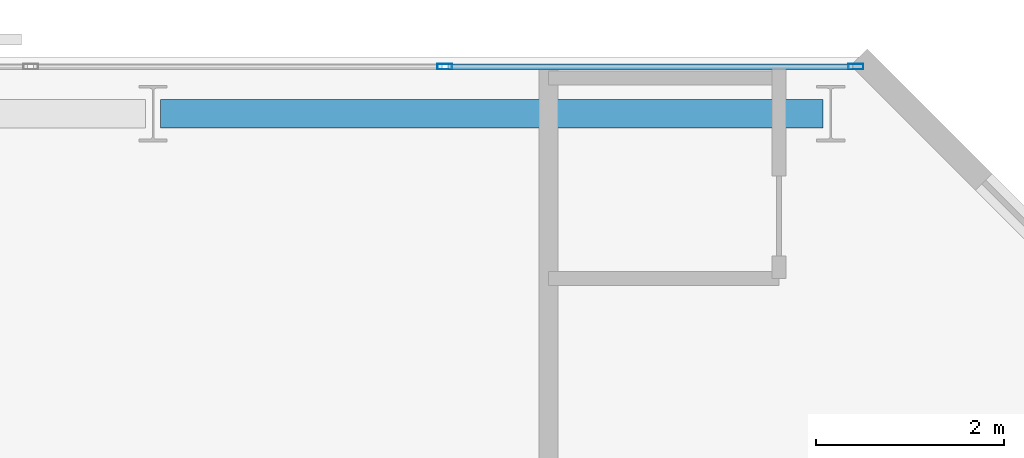
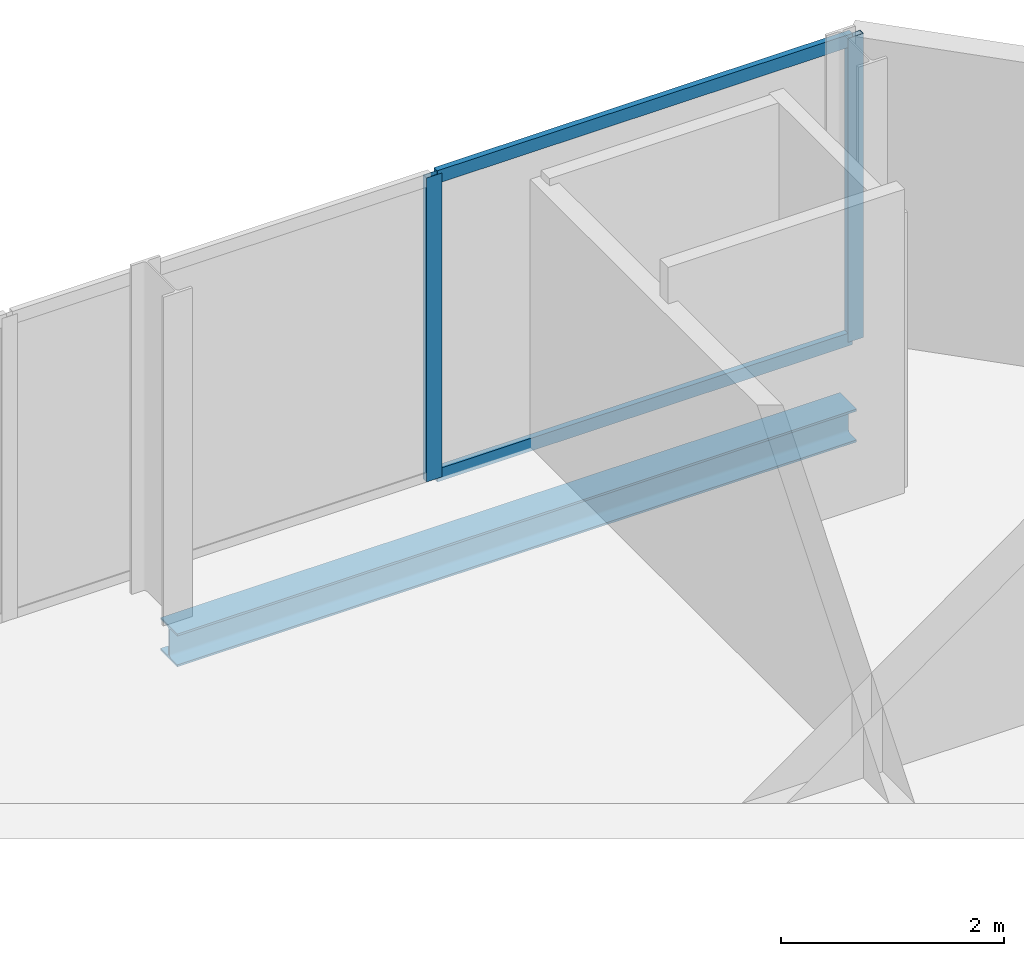
# One storey, part 25 of 32: 4 members, 1 beam, 1 element without a shape of its own.
"""IFC4 building model written with IfcOpenShell, lengths in metres."""

from ifc_helpers import new_model, si_unit, direction, frame, origin, origin_2d, place, context, subcontext, project, spatial, hollow_rectangle, i_section, extrude, material, layer, layer_set, material_profile, profile_set, type_object, element, aggregate, save


model = new_model("IFC4")

# Units and contexts
model_context = context("Model", 3, precision=1e-05, world=origin(), true_north=direction((0.0, 1.0)))
body_context = subcontext(model_context, "Body", "Model", "MODEL_VIEW")
ifc_project = project(units=[si_unit("LENGTHUNIT", "METRE"), si_unit("AREAUNIT", "SQUARE_METRE"), si_unit("VOLUMEUNIT", "CUBIC_METRE"), si_unit("PLANEANGLEUNIT", "RADIAN"), si_unit("MASSUNIT", "GRAM", prefix="KILO")], contexts=[model_context])

# Site, building, storey
site_placement = place(None, origin())
site = spatial("IfcSite", under=ifc_project, at=site_placement, CompositionType="ELEMENT")
building_placement = place(site_placement, origin())
building = spatial("IfcBuilding", under=site, at=building_placement, Name="Catumbela Crestline Tower", CompositionType="ELEMENT")
storey_placement = place(building_placement, frame((0.0, 0.0, 133.2)))
storey = spatial("IfcBuildingStorey", under=building, at=storey_placement, Name="L34", CompositionType="ELEMENT", Elevation=133.2)

# Curtain wall, members
ifc_material_1 = material(Name="Aluminium alloy AW-6060-T66", Category="aluminium")
ifc_layer = layer(ifc_material_1, 0.18, Name="Aluminium alloy AW-6060-T66")
ifc_layer_set = layer_set([ifc_layer], Name="Aluminium alloy AW-6060-T66")
curtain_wall_type = type_object("IfcCurtainWallType", Name="CWU-Z2", PredefinedType="USERDEFINED", material=ifc_layer_set)
curtain_wall_placement = place(storey_placement, origin())
curtain_wall = element("IfcCurtainWall", 1, at=curtain_wall_placement, inside=storey, type_object=curtain_wall_type, Name="L34 Unitised Curtain Wall CW-L34-E7S1", ObjectType="UNITISED", PredefinedType="USERDEFINED")
ifc_material_profile_1 = material_profile(ifc_material_1, hollow_rectangle(XDim=0.06, YDim=0.16, WallThickness=0.004, at=origin_2d()), Name="ALU 160x60x4")
ifc_profile_set_1 = profile_set([ifc_material_profile_1], Name="Aluminium alloy AW-6060-T66")
member_type_1 = type_object("IfcMemberType", Name="MUL-160X60", PredefinedType="MULLION", material=ifc_profile_set_1)
member_1_placement = place(storey_placement, frame((47.4675, 47.9, 0.0), z_axis=(0.0, 0.0, 1.0), x_axis=(0.0, -1.0, 0.0)))
member_1 = element("IfcMember", 2, at=member_1_placement, type_object=member_type_1, Name="CWU-Z2 mullion 1", PredefinedType="MULLION", context=body_context, shape_type="SweptSolid", body=[
    extrude(hollow_rectangle(XDim=0.06, YDim=0.16, WallThickness=0.004, at=origin_2d()), origin(), (0.0, 0.0, 1.0), 3.33),
])
member_2_placement = place(storey_placement, frame((43.1, 47.9, 0.0), z_axis=(0.0, 0.0, 1.0), x_axis=(0.0, -1.0, 0.0)))
member_2 = element("IfcMember", 3, at=member_2_placement, type_object=member_type_1, Name="CWU-Z2 mullion 2", PredefinedType="MULLION", context=body_context, shape_type="SweptSolid", body=[
    extrude(hollow_rectangle(XDim=0.06, YDim=0.16, WallThickness=0.004, at=origin_2d()), origin(), (0.0, 0.0, 1.0), 3.33),
])

# Beam
ifc_material_2 = material(Name="Structural steel S355J2", Category="steel")
ifc_material_profile_2 = material_profile(ifc_material_2, i_section(OverallWidth=0.3, OverallDepth=0.36, WebThickness=0.0125, FlangeThickness=0.0225, FilletRadius=0.027, at=origin_2d()), Name="HEB 360")
ifc_profile_set_2 = profile_set([ifc_material_profile_2], Name="Structural steel S355J2")
beam_type = type_object("IfcBeamType", Name="BS-HEB360", PredefinedType="SPANDREL", material=ifc_profile_set_2)
beam_placement = place(storey_placement, frame((40.08, 47.4, -0.44), z_axis=(1.0, 0.0, 0.0), x_axis=(0.0, 1.0, 0.0)))
element("IfcBeam", 4, at=beam_placement, inside=storey, type_object=beam_type, Name="L34 Spandrel SP-L34-NF21", PredefinedType="SPANDREL", context=body_context, shape_type="SweptSolid", body=[
    extrude(i_section(OverallWidth=0.3, OverallDepth=0.36, WebThickness=0.0125, FlangeThickness=0.0225, FilletRadius=0.027, at=origin_2d()), origin(), (0.0, 0.0, 1.0), 7.04),
])

# Member
ifc_material_profile_3 = material_profile(ifc_material_1, hollow_rectangle(XDim=0.06, YDim=0.14, WallThickness=0.004, at=origin_2d()), Name="ALU 140x60x4")
ifc_profile_set_3 = profile_set([ifc_material_profile_3], Name="Aluminium alloy AW-6060-T66")
member_type_2 = type_object("IfcMemberType", Name="TRN-140X60", PredefinedType="USERDEFINED", material=ifc_profile_set_3)
member_3_placement = place(storey_placement, frame((47.435, 47.9, 0.03), z_axis=(-1.0, 0.0, 0.0), x_axis=(0.0, -1.0, 0.0)))
member_3 = element("IfcMember", 5, at=member_3_placement, type_object=member_type_2, Name="CWU-Z2 transom 1.1", ObjectType="TRANSOM", PredefinedType="USERDEFINED", context=body_context, shape_type="SweptSolid", body=[
    extrude(hollow_rectangle(XDim=0.06, YDim=0.14, WallThickness=0.004, at=origin_2d()), origin(), (0.0, 0.0, 1.0), 4.3025),
])

member_4_placement = place(storey_placement, frame((47.435, 47.9, 3.3), z_axis=(-1.0, 0.0, 0.0), x_axis=(0.0, -1.0, 0.0)))
member_4 = element("IfcMember", 6, at=member_4_placement, type_object=member_type_2, Name="CWU-Z2 transom 1.2", ObjectType="TRANSOM", PredefinedType="USERDEFINED", context=body_context, shape_type="SweptSolid", body=[
    extrude(hollow_rectangle(XDim=0.06, YDim=0.14, WallThickness=0.004, at=origin_2d()), origin(), (0.0, 0.0, 1.0), 4.3025),
])

aggregate(curtain_wall, [member_1, member_2, member_3, member_4])

save(model, "model.ifc")
